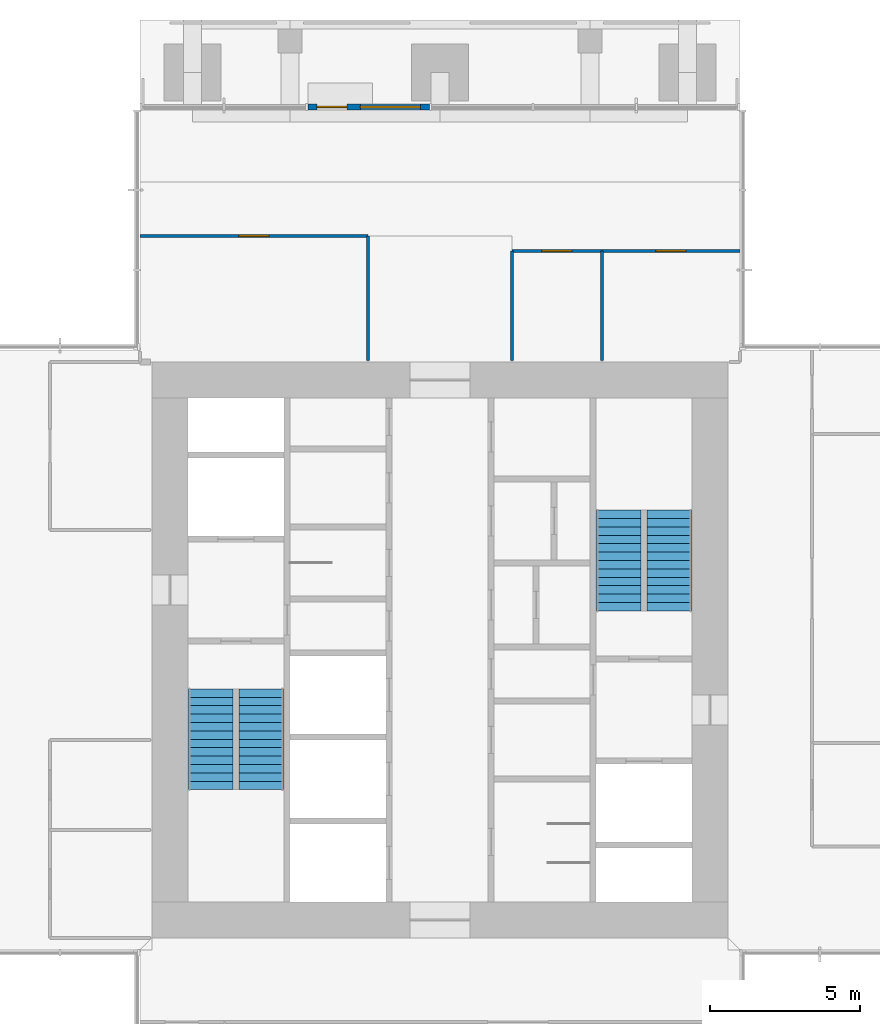
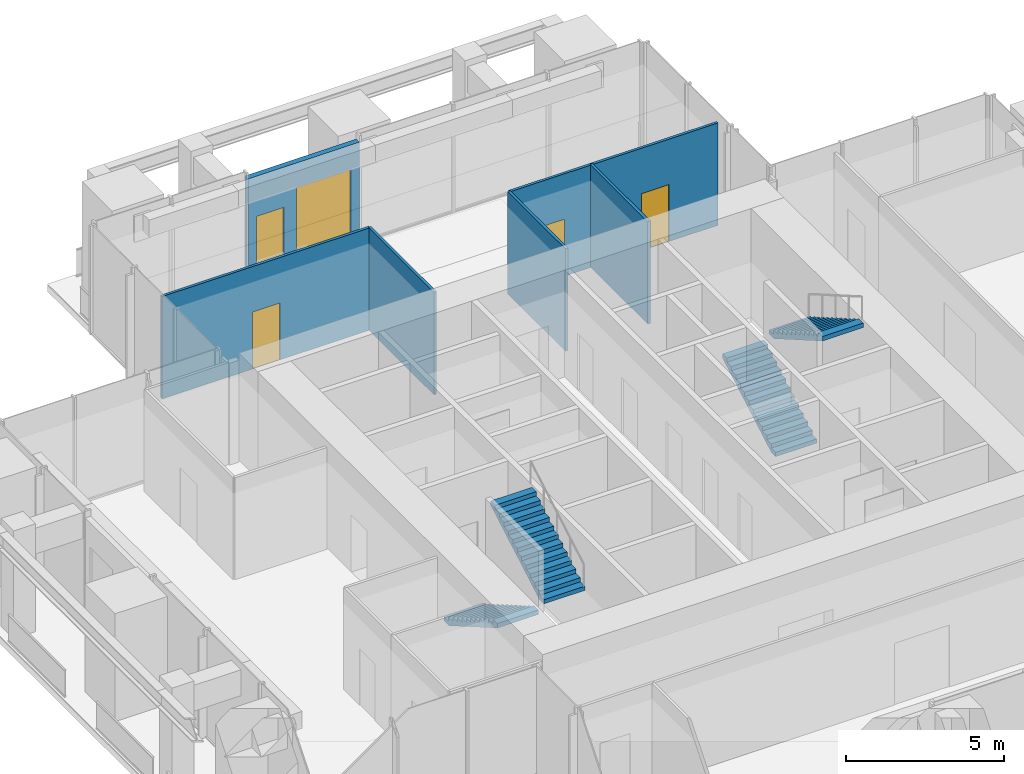
# One storey, part 9 of 12: 7 walls, 4 doors, 4 stair flights, 1 window, 5 openings, 2 elements without a shape of their own.
"""IFC4 building model written with IfcOpenShell, lengths in metres."""

from ifc_helpers import new_model, si_unit, direction, frame, frame_2d, origin, place, context, subcontext, project, spatial, polyline, rectangle, outline, extrude, material, layer, layer_set, type_object, element, fill, aggregate, save


model = new_model("IFC4")

# Units and contexts
model_context = context("Model", 3, precision=1e-05, world=origin(), true_north=direction((0.0, 1.0)))
body_context = subcontext(model_context, "Body", "Model", "MODEL_VIEW")
ifc_project = project(units=[si_unit("LENGTHUNIT", "METRE"), si_unit("AREAUNIT", "SQUARE_METRE"), si_unit("VOLUMEUNIT", "CUBIC_METRE"), si_unit("PLANEANGLEUNIT", "RADIAN"), si_unit("MASSUNIT", "GRAM", prefix="KILO")], contexts=[model_context])

# Site, building, storey
site_placement = place(None, origin())
site = spatial("IfcSite", under=ifc_project, at=site_placement, CompositionType="ELEMENT")
building_placement = place(site_placement, origin())
building = spatial("IfcBuilding", under=site, at=building_placement, Name="Svetlomir Tower", CompositionType="ELEMENT")
storey_placement = place(building_placement, frame((0.0, 0.0, 265.0)))
storey = spatial("IfcBuildingStorey", under=building, at=storey_placement, Name="L63", CompositionType="ELEMENT", Elevation=265.0)

# Wall, openings, door, window
ifc_material_1 = material(Name="Bronze anodised aluminium glazed screen", Category="aluminium")
ifc_layer_1 = layer(ifc_material_1, 0.199951171875)
ifc_layer_set_1 = layer_set([ifc_layer_1], Name="Bronze anodised aluminium glazed screen")
wall_type_1 = type_object("IfcWallType", Name="BALCONY SCREEN WALL 200", PredefinedType="USERDEFINED", material=ifc_layer_set_1)
wall_1_placement = place(storey_placement, frame((20.64990234375, 39.10009765625, 0.0), z_axis=(0.0, 0.0, 1.0), x_axis=(-1.0, 0.0, 0.0)))
wall_1 = element("IfcWall", 1, at=wall_1_placement, inside=storey, type_object=wall_type_1, Name="Balcony screen N", ObjectType="GLAZED SCREEN", PredefinedType="USERDEFINED", context=body_context, shape_type="SweptSolid", body=[
    extrude(rectangle(XDim=4.0498046875, YDim=0.199951171875, at=frame_2d((2.02490234375, 0.0))), origin(), (0.0, 0.0, 1.0), 3.949951171875),
])
opening_1_placement = place(wall_1_placement, frame((2.75, 0.0, 0.0)))
opening_1 = element("IfcOpeningElement", 2, at=opening_1_placement, cuts=wall_1, Name="Opening BD", PredefinedType="OPENING", context=body_context, shape_type="SweptSolid", body=[
    extrude(rectangle(XDim=1.0, YDim=2.39990234375, at=frame_2d((0.5, 1.199951171875))), frame((0.0, 0.10986328125, 0.0), z_axis=(0.0, -1.0, 0.0), x_axis=(1.0, 0.0, 0.0)), (0.0, 0.0, 1.0), 0.219970703125),
])
opening_2_placement = place(wall_1_placement, frame((0.300048828125, 0.0, 0.300048828125)))
opening_2 = element("IfcOpeningElement", 3, at=opening_2_placement, cuts=wall_1, Name="Opening WS", PredefinedType="OPENING", context=body_context, shape_type="SweptSolid", body=[
    extrude(rectangle(XDim=2.0, YDim=2.699951171875, at=frame_2d((1.0, 1.35009765625))), frame((0.0, 0.10986328125, 0.0), z_axis=(0.0, -1.0, 0.0), x_axis=(1.0, 0.0, 0.0)), (0.0, 0.0, 1.0), 0.219970703125),
])
ifc_material_2 = material(Name="Bronze anodised aluminium glazed door", Category="aluminium")
door_type_1 = type_object("IfcDoorType", Name="BALCONY DOOR BD 1000x2400", OperationType="SINGLE_SWING_LEFT", PredefinedType="DOOR", material=ifc_material_2)
door_1_placement = place(opening_1_placement, origin())
door_1 = element("IfcDoor", 4, at=door_1_placement, inside=storey, type_object=door_type_1, Name="Balcony screen N door", OperationType="SINGLE_SWING_LEFT", OverallHeight=2.39990234375, OverallWidth=1.0, PredefinedType="DOOR", context=body_context, shape_type="SweptSolid", body=[
    extrude(rectangle(XDim=1.0, YDim=2.39990234375, at=frame_2d((0.5, 1.199951171875))), frame((0.0, 0.02490234375, 0.0), z_axis=(0.0, -1.0, 0.0), x_axis=(1.0, 0.0, 0.0)), (0.0, 0.0, 1.0), 0.050048828125),
])
fill(opening_1, door_1)
ifc_material_3 = material(Name="Bronze anodised aluminium window", Category="aluminium")
window_type = type_object("IfcWindowType", Name="SCREEN WINDOW WS 2000x2700", PartitioningType="SINGLE_PANEL", PredefinedType="WINDOW", material=ifc_material_3)
window_placement = place(opening_2_placement, origin())
window = element("IfcWindow", 5, at=window_placement, inside=storey, type_object=window_type, Name="Balcony screen N window 1", OverallHeight=2.699951171875, OverallWidth=2.0, PartitioningType="SINGLE_PANEL", PredefinedType="WINDOW", context=body_context, shape_type="SweptSolid", body=[
    extrude(rectangle(XDim=2.0, YDim=2.699951171875, at=frame_2d((1.0, 1.35009765625))), frame((0.0, 0.030029296875, 0.0), z_axis=(0.0, -1.0, 0.0), x_axis=(1.0, 0.0, 0.0)), (0.0, 0.0, 1.0), 0.06005859375),
])
fill(opening_2, window)

# Wall, opening, door
ifc_material_4 = material(Name="Framed laminated glass partition", Category="glass")
ifc_layer_2 = layer(ifc_material_4, 0.10009765625)
ifc_layer_set_2 = layer_set([ifc_layer_2], Name="Framed laminated glass partition")
wall_type_2 = type_object("IfcWallType", Name="GLAZED PARTITION 100", PredefinedType="PARTITIONING", material=ifc_layer_set_2)
wall_2_placement = place(storey_placement, frame((11.0, 34.800048828125, 0.0), z_axis=(0.0, 0.0, 1.0), x_axis=(1.0, 0.0, 0.0)))
wall_2 = element("IfcWall", 6, at=wall_2_placement, inside=storey, type_object=wall_type_2, Name="Glazed partition L63", PredefinedType="PARTITIONING", context=body_context, shape_type="SweptSolid", body=[
    extrude(rectangle(XDim=7.60009765625, YDim=0.10009765625, at=frame_2d((3.800048828125, 0.0))), origin(), (0.0, 0.0, 1.0), 3.949951171875),
])
opening_3_placement = place(wall_2_placement, frame((3.300048828125, 0.0, 0.0)))
opening_3 = element("IfcOpeningElement", 7, at=opening_3_placement, cuts=wall_2, Name="Opening DR", PredefinedType="OPENING", context=body_context, shape_type="SweptSolid", body=[
    extrude(rectangle(XDim=1.0, YDim=2.199951171875, at=frame_2d((0.5, 1.10009765625))), frame((0.0, 0.06005859375, 0.0), z_axis=(0.0, -1.0, 0.0), x_axis=(1.0, 0.0, 0.0)), (0.0, 0.0, 1.0), 0.1201171875),
])
ifc_material_5 = material(Name="Timber door, glazed side light", Category="wood")
door_type_2 = type_object("IfcDoorType", Name="DOOR DR 1000x2200", OperationType="SINGLE_SWING_LEFT", PredefinedType="DOOR", material=ifc_material_5)
door_2_placement = place(opening_3_placement, origin())
door_2 = element("IfcDoor", 8, at=door_2_placement, inside=storey, type_object=door_type_2, Name="Team room, 10 seats door L63", OperationType="SINGLE_SWING_RIGHT", OverallHeight=2.199951171875, OverallWidth=1.0, PredefinedType="DOOR", context=body_context, shape_type="SweptSolid", body=[
    extrude(rectangle(XDim=1.0, YDim=2.199951171875, at=frame_2d((0.5, 1.10009765625))), frame((0.0, 0.02490234375, 0.0), z_axis=(0.0, -1.0, 0.0), x_axis=(1.0, 0.0, 0.0)), (0.0, 0.0, 1.0), 0.050048828125),
])
fill(opening_3, door_2)

# Walls
wall_3_placement = place(storey_placement, frame((18.60009765625, 30.64990234375, 0.0), z_axis=(0.0, 0.0, 1.0), x_axis=(0.0, 1.0, 0.0)))
element("IfcWall", 9, at=wall_3_placement, inside=storey, type_object=wall_type_2, Name="Glazed partition L63", PredefinedType="PARTITIONING", context=body_context, shape_type="SweptSolid", body=[
    extrude(rectangle(XDim=4.150146484375, YDim=0.10009765625, at=frame_2d((2.0751953125, 0.0))), origin(), (0.0, 0.0, 1.0), 3.949951171875),
])
wall_4_placement = place(storey_placement, frame((23.39990234375, 30.64990234375, 0.0), z_axis=(0.0, 0.0, 1.0), x_axis=(0.0, 1.0, 0.0)))
element("IfcWall", 10, at=wall_4_placement, inside=storey, type_object=wall_type_2, Name="Partition L63", PredefinedType="PARTITIONING", context=body_context, shape_type="SweptSolid", body=[
    extrude(rectangle(XDim=3.650146484375, YDim=0.10009765625, at=frame_2d((1.8251953125, 0.0))), origin(), (0.0, 0.0, 1.0), 3.949951171875),
])

# Wall, opening, door
wall_5_placement = place(storey_placement, frame((23.39990234375, 34.300048828125, 0.0), z_axis=(0.0, 0.0, 1.0), x_axis=(1.0, 0.0, 0.0)))
wall_5 = element("IfcWall", 11, at=wall_5_placement, inside=storey, type_object=wall_type_2, Name="Partition L63", PredefinedType="PARTITIONING", context=body_context, shape_type="SweptSolid", body=[
    extrude(rectangle(XDim=3.0, YDim=0.10009765625, at=frame_2d((1.5, 0.0))), origin(), (0.0, 0.0, 1.0), 3.949951171875),
])
opening_4_placement = place(wall_5_placement, frame((1.0, 0.0, 0.0)))
opening_4 = element("IfcOpeningElement", 12, at=opening_4_placement, cuts=wall_5, Name="Opening DR", PredefinedType="OPENING", context=body_context, shape_type="SweptSolid", body=[
    extrude(rectangle(XDim=1.0, YDim=2.199951171875, at=frame_2d((0.5, 1.10009765625))), frame((0.0, 0.06005859375, 0.0), z_axis=(0.0, -1.0, 0.0), x_axis=(1.0, 0.0, 0.0)), (0.0, 0.0, 1.0), 0.1201171875),
])
door_3_placement = place(opening_4_placement, origin())
door_3 = element("IfcDoor", 13, at=door_3_placement, inside=storey, type_object=door_type_2, Name="Board papers print room door L63", OperationType="SINGLE_SWING_LEFT", OverallHeight=2.199951171875, OverallWidth=1.0, PredefinedType="DOOR", context=body_context, shape_type="SweptSolid", body=[
    extrude(rectangle(XDim=1.0, YDim=2.199951171875, at=frame_2d((0.5, 1.10009765625))), frame((0.0, 0.02490234375, 0.0), z_axis=(0.0, -1.0, 0.0), x_axis=(1.0, 0.0, 0.0)), (0.0, 0.0, 1.0), 0.050048828125),
])
fill(opening_4, door_3)

# Wall
wall_6_placement = place(storey_placement, frame((26.39990234375, 30.64990234375, 0.0), z_axis=(0.0, 0.0, 1.0), x_axis=(0.0, 1.0, 0.0)))
element("IfcWall", 14, at=wall_6_placement, inside=storey, type_object=wall_type_2, Name="Partition L63", PredefinedType="PARTITIONING", context=body_context, shape_type="SweptSolid", body=[
    extrude(rectangle(XDim=3.650146484375, YDim=0.10009765625, at=frame_2d((1.8251953125, 0.0))), origin(), (0.0, 0.0, 1.0), 3.949951171875),
])

# Wall, opening, door
wall_7_placement = place(storey_placement, frame((26.39990234375, 34.300048828125, 0.0), z_axis=(0.0, 0.0, 1.0), x_axis=(1.0, 0.0, 0.0)))
wall_7 = element("IfcWall", 15, at=wall_7_placement, inside=storey, type_object=wall_type_2, Name="Partition L63", PredefinedType="PARTITIONING", context=body_context, shape_type="SweptSolid", body=[
    extrude(rectangle(XDim=4.60009765625, YDim=0.10009765625, at=frame_2d((2.300048828125, 0.0))), origin(), (0.0, 0.0, 1.0), 3.949951171875),
])
opening_5_placement = place(wall_7_placement, frame((1.800048828125, 0.0, 0.0)))
opening_5 = element("IfcOpeningElement", 16, at=opening_5_placement, cuts=wall_7, Name="Opening DR", PredefinedType="OPENING", context=body_context, shape_type="SweptSolid", body=[
    extrude(rectangle(XDim=1.0, YDim=2.199951171875, at=frame_2d((0.5, 1.10009765625))), frame((0.0, 0.06005859375, 0.0), z_axis=(0.0, -1.0, 0.0), x_axis=(1.0, 0.0, 0.0)), (0.0, 0.0, 1.0), 0.1201171875),
])
door_4_placement = place(opening_5_placement, origin())
door_4 = element("IfcDoor", 17, at=door_4_placement, inside=storey, type_object=door_type_2, Name="Directors' store door L63", OperationType="SINGLE_SWING_LEFT", OverallHeight=2.199951171875, OverallWidth=1.0, PredefinedType="DOOR", context=body_context, shape_type="SweptSolid", body=[
    extrude(rectangle(XDim=1.0, YDim=2.199951171875, at=frame_2d((0.5, 1.10009765625))), frame((0.0, 0.02490234375, 0.0), z_axis=(0.0, -1.0, 0.0), x_axis=(1.0, 0.0, 0.0)), (0.0, 0.0, 1.0), 0.050048828125),
])
fill(opening_5, door_4)

# Stair, stair flights
ifc_material_6 = material(Name="Concrete C60/75", Category="concrete")
stair_type = type_object("IfcStairType", Name="EXIT STAIR 3200 RISE 4200", PredefinedType="HALF_TURN_STAIR", material=ifc_material_6)
stair_1_placement = place(storey_placement, origin())
stair_1 = element("IfcStair", 18, at=stair_1_placement, inside=storey, type_object=stair_type, Name="Stair S1 L63 to L64", PredefinedType="HALF_TURN_STAIR")
ifc_material_7 = material(Name="Concrete C60/75", Category="concrete")
stair_flight_type = type_object("IfcStairFlightType", Name="STAIR FLIGHT 1500 OF 13 RISERS", PredefinedType="STRAIGHT", material=ifc_material_7)
stair_flight_1_placement = place(storey_placement, frame((13.35009765625, 19.699951171875, 0.0), z_axis=(0.0, 0.0, 1.0), x_axis=(0.0, -1.0, 0.0)))
stair_flight_1 = element("IfcStairFlight", 19, at=stair_flight_1_placement, type_object=stair_flight_type, Name="S1 flight 1", NumberOfRisers=13, NumberOfTreads=12, PredefinedType="STRAIGHT", RiserHeight=0.161538462, TreadLength=0.28, context=body_context, shape_type="SweptSolid", body=[
    extrude(outline(polyline([(0.0, 0.0), (0.0, 0.16162109375), (0.280029296875, 0.16162109375), (0.280029296875, 0.322998046875), (0.56005859375, 0.322998046875), (0.56005859375, 0.484619140625), (0.840087890625, 0.484619140625), (0.840087890625, 0.646240234375), (1.1201171875, 0.646240234375), (1.1201171875, 0.8076171875), (1.39990234375, 0.8076171875), (1.39990234375, 0.96923828125), (1.679931640625, 0.96923828125), (1.679931640625, 1.130859375), (1.9599609375, 1.130859375), (1.9599609375, 1.292236328125), (2.239990234375, 1.292236328125), (2.239990234375, 1.453857421875), (2.52001953125, 1.453857421875), (2.52001953125, 1.615478515625), (2.800048828125, 1.615478515625), (2.800048828125, 1.77685546875), (3.080078125, 1.77685546875), (3.080078125, 1.9384765625), (3.360107421875, 1.9384765625), (3.360107421875, 2.10009765625), (3.360107421875, 1.765380859375), (0.300048828125, 0.0), (0.0, 0.0)])), frame((0.0, 0.75, 0.0), z_axis=(0.0, -1.0, 0.0), x_axis=(1.0, 0.0, 0.0)), (0.0, 0.0, 1.0), 1.5),
])
stair_flight_2_placement = place(storey_placement, frame((15.050048828125, 16.340087890625, 2.10009765625), z_axis=(0.0, 0.0, 1.0), x_axis=(0.0, 1.0, 0.0)))
stair_flight_2 = element("IfcStairFlight", 20, at=stair_flight_2_placement, type_object=stair_flight_type, Name="S1 flight 2", NumberOfRisers=13, NumberOfTreads=12, PredefinedType="STRAIGHT", RiserHeight=0.161538462, TreadLength=0.28, context=body_context, shape_type="SweptSolid", body=[
    extrude(outline(polyline([(0.0, 0.0), (0.0, 0.16162109375), (0.280029296875, 0.16162109375), (0.280029296875, 0.322998046875), (0.56005859375, 0.322998046875), (0.56005859375, 0.484619140625), (0.840087890625, 0.484619140625), (0.840087890625, 0.646240234375), (1.1201171875, 0.646240234375), (1.1201171875, 0.8076171875), (1.39990234375, 0.8076171875), (1.39990234375, 0.96923828125), (1.679931640625, 0.96923828125), (1.679931640625, 1.130859375), (1.9599609375, 1.130859375), (1.9599609375, 1.292236328125), (2.239990234375, 1.292236328125), (2.239990234375, 1.453857421875), (2.52001953125, 1.453857421875), (2.52001953125, 1.615478515625), (2.800048828125, 1.615478515625), (2.800048828125, 1.77685546875), (3.080078125, 1.77685546875), (3.080078125, 1.9384765625), (3.360107421875, 1.9384765625), (3.360107421875, 2.10009765625), (3.360107421875, 1.765380859375), (0.300048828125, 0.0), (0.0, 0.0)])), frame((0.0, 0.75, 0.0), z_axis=(0.0, -1.0, 0.0), x_axis=(1.0, 0.0, 0.0)), (0.0, 0.0, 1.0), 1.5),
])
aggregate(stair_1, [stair_flight_1, stair_flight_2])

stair_2_placement = place(storey_placement, origin())
stair_2 = element("IfcStair", 21, at=stair_2_placement, inside=storey, type_object=stair_type, Name="Stair S2 L63 to L64", PredefinedType="HALF_TURN_STAIR")
stair_flight_3_placement = place(storey_placement, frame((26.949951171875, 22.300048828125, 0.0), z_axis=(0.0, 0.0, 1.0), x_axis=(0.0, 1.0, 0.0)))
stair_flight_3 = element("IfcStairFlight", 22, at=stair_flight_3_placement, type_object=stair_flight_type, Name="S2 flight 1", NumberOfRisers=13, NumberOfTreads=12, PredefinedType="STRAIGHT", RiserHeight=0.161538462, TreadLength=0.28, context=body_context, shape_type="SweptSolid", body=[
    extrude(outline(polyline([(0.0, 0.0), (0.0, 0.16162109375), (0.280029296875, 0.16162109375), (0.280029296875, 0.322998046875), (0.56005859375, 0.322998046875), (0.56005859375, 0.484619140625), (0.840087890625, 0.484619140625), (0.840087890625, 0.646240234375), (1.1201171875, 0.646240234375), (1.1201171875, 0.8076171875), (1.39990234375, 0.8076171875), (1.39990234375, 0.96923828125), (1.679931640625, 0.96923828125), (1.679931640625, 1.130859375), (1.9599609375, 1.130859375), (1.9599609375, 1.292236328125), (2.239990234375, 1.292236328125), (2.239990234375, 1.453857421875), (2.52001953125, 1.453857421875), (2.52001953125, 1.615478515625), (2.800048828125, 1.615478515625), (2.800048828125, 1.77685546875), (3.080078125, 1.77685546875), (3.080078125, 1.9384765625), (3.360107421875, 1.9384765625), (3.360107421875, 2.10009765625), (3.360107421875, 1.765380859375), (0.300048828125, 0.0), (0.0, 0.0)])), frame((0.0, 0.75, 0.0), z_axis=(0.0, -1.0, 0.0), x_axis=(1.0, 0.0, 0.0)), (0.0, 0.0, 1.0), 1.5),
])
stair_flight_4_placement = place(storey_placement, frame((28.64990234375, 25.659912109375, 2.10009765625), z_axis=(0.0, 0.0, 1.0), x_axis=(0.0, -1.0, 0.0)))
stair_flight_4 = element("IfcStairFlight", 23, at=stair_flight_4_placement, type_object=stair_flight_type, Name="S2 flight 2", NumberOfRisers=13, NumberOfTreads=12, PredefinedType="STRAIGHT", RiserHeight=0.161538462, TreadLength=0.28, context=body_context, shape_type="SweptSolid", body=[
    extrude(outline(polyline([(0.0, 0.0), (0.0, 0.16162109375), (0.280029296875, 0.16162109375), (0.280029296875, 0.322998046875), (0.56005859375, 0.322998046875), (0.56005859375, 0.484619140625), (0.840087890625, 0.484619140625), (0.840087890625, 0.646240234375), (1.1201171875, 0.646240234375), (1.1201171875, 0.8076171875), (1.39990234375, 0.8076171875), (1.39990234375, 0.96923828125), (1.679931640625, 0.96923828125), (1.679931640625, 1.130859375), (1.9599609375, 1.130859375), (1.9599609375, 1.292236328125), (2.239990234375, 1.292236328125), (2.239990234375, 1.453857421875), (2.52001953125, 1.453857421875), (2.52001953125, 1.615478515625), (2.800048828125, 1.615478515625), (2.800048828125, 1.77685546875), (3.080078125, 1.77685546875), (3.080078125, 1.9384765625), (3.360107421875, 1.9384765625), (3.360107421875, 2.10009765625), (3.360107421875, 1.765380859375), (0.300048828125, 0.0), (0.0, 0.0)])), frame((0.0, 0.75, 0.0), z_axis=(0.0, -1.0, 0.0), x_axis=(1.0, 0.0, 0.0)), (0.0, 0.0, 1.0), 1.5),
])
aggregate(stair_2, [stair_flight_3, stair_flight_4])

save(model, "model.ifc")
